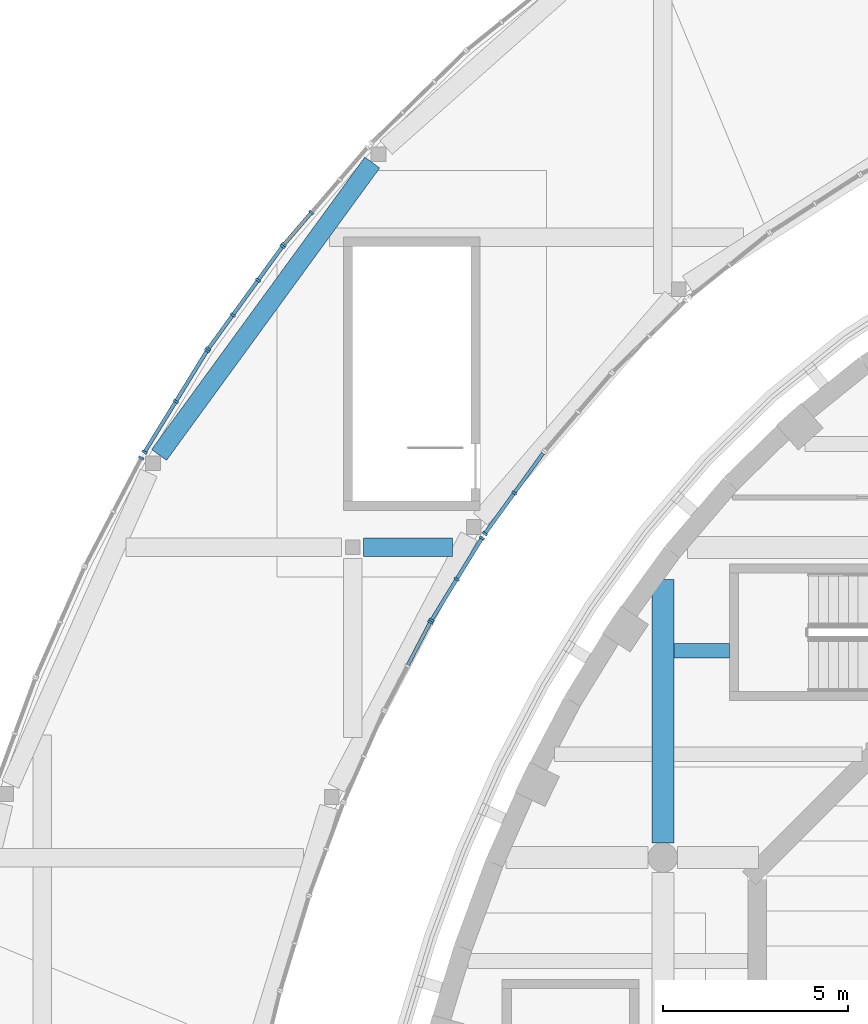
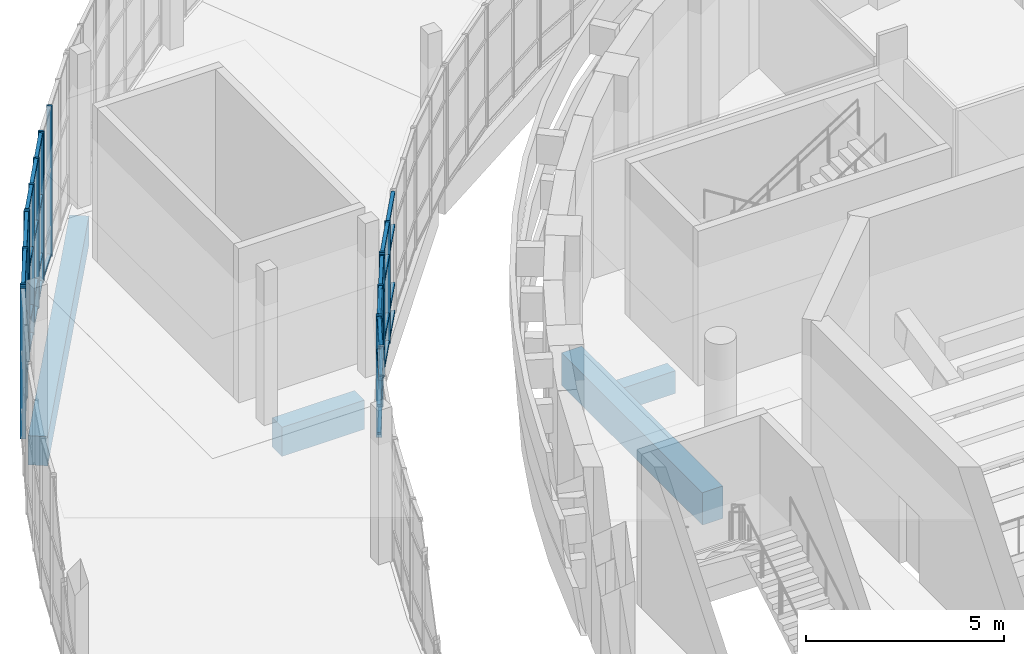
# One storey, part 18 of 103: 55 members, 4 beams, 7 elements without a shape of their own.
"""IFC4 building model written with IfcOpenShell, lengths in metres."""

from ifc_helpers import new_model, si_unit, direction, frame, origin, origin_2d, place, context, subcontext, project, spatial, rectangle, extrude, material, layer, layer_set, material_profile, profile_set, type_object, element, aggregate, save


model = new_model("IFC4")

# Units and contexts
model_context = context("Model", 3, precision=1e-05, world=origin(), true_north=direction((0.0, 1.0)))
body_context = subcontext(model_context, "Body", "Model", "MODEL_VIEW")
ifc_project = project(units=[si_unit("LENGTHUNIT", "METRE"), si_unit("AREAUNIT", "SQUARE_METRE"), si_unit("VOLUMEUNIT", "CUBIC_METRE"), si_unit("PLANEANGLEUNIT", "RADIAN"), si_unit("MASSUNIT", "GRAM", prefix="KILO")], contexts=[model_context])

# Site, building, storey
site_placement = place(None, origin())
site = spatial("IfcSite", under=ifc_project, at=site_placement, CompositionType="ELEMENT")
building_placement = place(site_placement, origin())
building = spatial("IfcBuilding", under=site, at=building_placement, Name="Larchfold Concert Hall", CompositionType="ELEMENT")
storey_placement = place(building_placement, frame((0.0, 0.0, 9.60009765625)))
storey = spatial("IfcBuildingStorey", under=building, at=storey_placement, Name="L02", CompositionType="ELEMENT", Elevation=9.60009765625)

# Curtain wall, member
ifc_material_1 = material(Name="Anodised graphite aluminium curtain wall", Category="aluminium")
ifc_layer = layer(ifc_material_1, 0.14990234375)
ifc_layer_set = layer_set([ifc_layer], Name="Anodised graphite aluminium curtain wall")
curtain_wall_type = type_object("IfcCurtainWallType", Name="Curtain wall WG", PredefinedType="NOTDEFINED", material=ifc_layer_set)
curtain_wall_1_placement = place(storey_placement, origin())
curtain_wall_1 = element("IfcCurtainWall", 1, at=curtain_wall_1_placement, inside=storey, type_object=curtain_wall_type, Name="Curtain wall CW0232", PredefinedType="NOTDEFINED")
ifc_material_2 = material(Name="Anodised graphite aluminium mullion", Category="aluminium")
ifc_material_profile_1 = material_profile(ifc_material_2, rectangle(XDim=0.14990234375, YDim=0.06005859375, at=origin_2d()))
ifc_profile_set_1 = profile_set([ifc_material_profile_1], Name="Anodised graphite aluminium mullion")
member_type_1 = type_object("IfcMemberType", Name="Aluminium mullion 60x150", PredefinedType="MULLION", material=ifc_profile_set_1)
member_1_placement = place(storey_placement, frame((19.504638671875, 107.774169921875, 0.0), z_axis=(0.0, 0.0, 1.0), x_axis=(-0.886259622766, 0.46318881793, 0.0)))
member_1 = element("IfcMember", 2, at=member_1_placement, type_object=member_type_1, Name="CW0232 mullion 3", PredefinedType="MULLION", context=body_context, shape_type="SweptSolid", body=[
    extrude(rectangle(XDim=0.14990234375, YDim=0.06005859375, at=origin_2d()), origin(), (0.0, 0.0, 1.0), 3.75),
])

# Curtain wall, members
curtain_wall_2_placement = place(storey_placement, origin())
curtain_wall_2 = element("IfcCurtainWall", 3, at=curtain_wall_2_placement, inside=storey, type_object=curtain_wall_type, Name="Curtain wall CW0233", PredefinedType="NOTDEFINED")
member_2_placement = place(storey_placement, frame((19.5341796875, 107.826416015625, 0.0), z_axis=(0.0, 0.0, 1.0), x_axis=(-0.851667726257, 0.524082134835, 0.0)))
member_2 = element("IfcMember", 4, at=member_2_placement, type_object=member_type_1, Name="CW0233 mullion 1", PredefinedType="MULLION", context=body_context, shape_type="SweptSolid", body=[
    extrude(rectangle(XDim=0.14990234375, YDim=0.06005859375, at=origin_2d()), origin(), (0.0, 0.0, 1.0), 3.75),
])
member_3_placement = place(storey_placement, frame((20.21875, 108.938720703125, 0.0), z_axis=(0.0, 0.0, 1.0), x_axis=(-0.851667726257, 0.524082134835, 0.0)))
member_3 = element("IfcMember", 5, at=member_3_placement, type_object=member_type_1, Name="CW0233 mullion 2", PredefinedType="MULLION", context=body_context, shape_type="SweptSolid", body=[
    extrude(rectangle(XDim=0.14990234375, YDim=0.06005859375, at=origin_2d()), origin(), (0.0, 0.0, 1.0), 3.75),
])
member_4_placement = place(storey_placement, frame((20.903564453125, 110.05126953125, 0.0), z_axis=(0.0, 0.0, 1.0), x_axis=(-0.851667726257, 0.524082134835, 0.0)))
member_4 = element("IfcMember", 6, at=member_4_placement, type_object=member_type_1, Name="CW0233 mullion 3", PredefinedType="MULLION", context=body_context, shape_type="SweptSolid", body=[
    extrude(rectangle(XDim=0.14990234375, YDim=0.06005859375, at=origin_2d()), origin(), (0.0, 0.0, 1.0), 3.75),
])

curtain_wall_3_placement = place(storey_placement, origin())
curtain_wall_3 = element("IfcCurtainWall", 7, at=curtain_wall_3_placement, inside=storey, type_object=curtain_wall_type, Name="Curtain wall CW0234", PredefinedType="NOTDEFINED")
member_5_placement = place(storey_placement, frame((20.98046875, 110.171630859375, 0.0), z_axis=(0.0, 0.0, 1.0), x_axis=(-0.809901790947, 0.586565502753, 0.0)))
member_5 = element("IfcMember", 8, at=member_5_placement, type_object=member_type_1, Name="CW0234 mullion 1", PredefinedType="MULLION", context=body_context, shape_type="SweptSolid", body=[
    extrude(rectangle(XDim=0.14990234375, YDim=0.06005859375, at=origin_2d()), origin(), (0.0, 0.0, 1.0), 3.75),
])
member_6_placement = place(storey_placement, frame((21.77734375, 111.271484375, 0.0), z_axis=(0.0, 0.0, 1.0), x_axis=(-0.809901790947, 0.586565502753, 0.0)))
member_6 = element("IfcMember", 9, at=member_6_placement, type_object=member_type_1, Name="CW0234 mullion 2", PredefinedType="MULLION", context=body_context, shape_type="SweptSolid", body=[
    extrude(rectangle(XDim=0.14990234375, YDim=0.06005859375, at=origin_2d()), origin(), (0.0, 0.0, 1.0), 3.75),
])

curtain_wall_4_placement = place(storey_placement, origin())
curtain_wall_4 = element("IfcCurtainWall", 10, at=curtain_wall_4_placement, inside=storey, type_object=curtain_wall_type, Name="Curtain wall CW0262", PredefinedType="NOTDEFINED")
member_7_placement = place(storey_placement, frame((16.28271484375, 118.865234375, 0.0), z_axis=(0.0, 0.0, 1.0), x_axis=(0.759452023093, -0.650563313306, 0.0)))
member_7 = element("IfcMember", 11, at=member_7_placement, type_object=member_type_1, Name="CW0262 mullion 3", PredefinedType="MULLION", context=body_context, shape_type="SweptSolid", body=[
    extrude(rectangle(XDim=0.14990234375, YDim=0.06005859375, at=origin_2d()), origin(), (0.0, 0.0, 1.0), 4.64990234375),
])
member_8_placement = place(storey_placement, frame((15.537353515625, 117.9951171875, 0.0), z_axis=(0.0, 0.0, 1.0), x_axis=(0.759452023093, -0.650563313306, 0.0)))
member_8 = element("IfcMember", 12, at=member_8_placement, type_object=member_type_1, Name="CW0262 mullion 4", PredefinedType="MULLION", context=body_context, shape_type="SweptSolid", body=[
    extrude(rectangle(XDim=0.14990234375, YDim=0.06005859375, at=origin_2d()), origin(), (0.0, 0.0, 1.0), 4.64990234375),
])

curtain_wall_5_placement = place(storey_placement, origin())
curtain_wall_5 = element("IfcCurtainWall", 13, at=curtain_wall_5_placement, inside=storey, type_object=curtain_wall_type, Name="Curtain wall CW0263", PredefinedType="NOTDEFINED")
member_9_placement = place(storey_placement, frame((15.500244140625, 117.947998046875, 0.0), z_axis=(0.0, 0.0, 1.0), x_axis=(0.809846830142, -0.586641382541, 0.0)))
member_9 = element("IfcMember", 14, at=member_9_placement, type_object=member_type_1, Name="CW0263 mullion 1", PredefinedType="MULLION", context=body_context, shape_type="SweptSolid", body=[
    extrude(rectangle(XDim=0.14990234375, YDim=0.06005859375, at=origin_2d()), origin(), (0.0, 0.0, 1.0), 4.64990234375),
])
member_10_placement = place(storey_placement, frame((14.836669921875, 117.031982421875, 0.0), z_axis=(0.0, 0.0, 1.0), x_axis=(0.809846830142, -0.586641382541, 0.0)))
member_10 = element("IfcMember", 15, at=member_10_placement, type_object=member_type_1, Name="CW0263 mullion 2", PredefinedType="MULLION", context=body_context, shape_type="SweptSolid", body=[
    extrude(rectangle(XDim=0.14990234375, YDim=0.06005859375, at=origin_2d()), origin(), (0.0, 0.0, 1.0), 4.64990234375),
])
member_11_placement = place(storey_placement, frame((14.1552734375, 116.091552734375, 0.0), z_axis=(0.0, 0.0, 1.0), x_axis=(0.809846830142, -0.586641382541, 0.0)))
member_11 = element("IfcMember", 16, at=member_11_placement, type_object=member_type_1, Name="CW0263 mullion 3", PredefinedType="MULLION", context=body_context, shape_type="SweptSolid", body=[
    extrude(rectangle(XDim=0.14990234375, YDim=0.06005859375, at=origin_2d()), origin(), (0.0, 0.0, 1.0), 4.64990234375),
])
member_12_placement = place(storey_placement, frame((13.49169921875, 115.175537109375, 0.0), z_axis=(0.0, 0.0, 1.0), x_axis=(0.809846830142, -0.586641382541, 0.0)))
member_12 = element("IfcMember", 17, at=member_12_placement, type_object=member_type_1, Name="CW0263 mullion 4", PredefinedType="MULLION", context=body_context, shape_type="SweptSolid", body=[
    extrude(rectangle(XDim=0.14990234375, YDim=0.06005859375, at=origin_2d()), origin(), (0.0, 0.0, 1.0), 4.64990234375),
])

curtain_wall_6_placement = place(storey_placement, origin())
curtain_wall_6 = element("IfcCurtainWall", 18, at=curtain_wall_6_placement, inside=storey, type_object=curtain_wall_type, Name="Curtain wall CW0264", PredefinedType="NOTDEFINED")
member_13_placement = place(storey_placement, frame((13.45849609375, 115.12548828125, 0.0), z_axis=(0.0, 0.0, 1.0), x_axis=(0.851650673085, -0.524109846344, 0.0)))
member_13 = element("IfcMember", 19, at=member_13_placement, type_object=member_type_1, Name="CW0264 mullion 1", PredefinedType="MULLION", context=body_context, shape_type="SweptSolid", body=[
    extrude(rectangle(XDim=0.14990234375, YDim=0.06005859375, at=origin_2d()), origin(), (0.0, 0.0, 1.0), 4.64990234375),
])
member_14_placement = place(storey_placement, frame((12.612060546875, 113.75, 0.0), z_axis=(0.0, 0.0, 1.0), x_axis=(0.851650673085, -0.524109846344, 0.0)))
member_14 = element("IfcMember", 20, at=member_14_placement, type_object=member_type_1, Name="CW0264 mullion 2", PredefinedType="MULLION", context=body_context, shape_type="SweptSolid", body=[
    extrude(rectangle(XDim=0.14990234375, YDim=0.06005859375, at=origin_2d()), origin(), (0.0, 0.0, 1.0), 4.64990234375),
])
member_15_placement = place(storey_placement, frame((11.765380859375, 112.374755859375, 0.0), z_axis=(0.0, 0.0, 1.0), x_axis=(0.851650673085, -0.524109846344, 0.0)))
member_15 = element("IfcMember", 21, at=member_15_placement, type_object=member_type_1, Name="CW0264 mullion 3", PredefinedType="MULLION", context=body_context, shape_type="SweptSolid", body=[
    extrude(rectangle(XDim=0.14990234375, YDim=0.06005859375, at=origin_2d()), origin(), (0.0, 0.0, 1.0), 4.64990234375),
])

# Curtain wall, member
curtain_wall_7_placement = place(storey_placement, origin())
curtain_wall_7 = element("IfcCurtainWall", 22, at=curtain_wall_7_placement, inside=storey, type_object=curtain_wall_type, Name="Curtain wall CW0265", PredefinedType="NOTDEFINED")
member_16_placement = place(storey_placement, frame((11.67431640625, 112.222412109375, 0.0), z_axis=(0.0, 0.0, 1.0), x_axis=(0.886295614113, -0.463119946023, 0.0)))
member_16 = element("IfcMember", 23, at=member_16_placement, type_object=member_type_1, Name="CW0265 mullion 1", PredefinedType="MULLION", context=body_context, shape_type="SweptSolid", body=[
    extrude(rectangle(XDim=0.14990234375, YDim=0.06005859375, at=origin_2d()), origin(), (0.0, 0.0, 1.0), 4.64990234375),
])
aggregate(curtain_wall_7, [member_16])

# Member
ifc_material_3 = material(Name="Anodised graphite aluminium transom", Category="aluminium")
ifc_material_profile_2 = material_profile(ifc_material_3, rectangle(XDim=0.10009765625, YDim=0.080078125, at=origin_2d()))
ifc_profile_set_2 = profile_set([ifc_material_profile_2], Name="Anodised graphite aluminium transom")
member_type_2 = type_object("IfcMemberType", Name="Aluminium transom 80x100", PredefinedType="USERDEFINED", material=ifc_profile_set_2)
member_17_placement = place(storey_placement, frame((18.899658203125, 106.616455078125, 2.699951171875), z_axis=(0.463134691808, 0.886287908777, 0.0), x_axis=(-0.886287908777, 0.463134691808, 0.0)))
member_17 = element("IfcMember", 24, at=member_17_placement, type_object=member_type_2, Name="CW0232 transom 2.3", ObjectType="TRANSOM", PredefinedType="USERDEFINED", context=body_context, shape_type="SweptSolid", body=[
    extrude(rectangle(XDim=0.10009765625, YDim=0.080078125, at=origin_2d()), origin(), (0.0, 0.0, 1.0), 1.276123046875),
])

member_18_placement = place(storey_placement, frame((18.899658203125, 106.616455078125, 3.7099609375), z_axis=(0.463134691808, 0.886287908777, 0.0), x_axis=(-0.886287908777, 0.463134691808, 0.0)))
member_18 = element("IfcMember", 25, at=member_18_placement, type_object=member_type_2, Name="CW0232 transom 2.4", ObjectType="TRANSOM", PredefinedType="USERDEFINED", context=body_context, shape_type="SweptSolid", body=[
    extrude(rectangle(XDim=0.10009765625, YDim=0.080078125, at=origin_2d()), origin(), (0.0, 0.0, 1.0), 1.276123046875),
])

aggregate(curtain_wall_1, [member_1, member_17, member_18])

member_19_placement = place(storey_placement, frame((19.550048828125, 107.851806640625, 0.0400390625), z_axis=(0.52399905806, 0.851718842783, 0.0), x_axis=(-0.851718842783, 0.52399905806, 0.0)))
member_19 = element("IfcMember", 26, at=member_19_placement, type_object=member_type_2, Name="CW0233 transom 1.1", ObjectType="TRANSOM", PredefinedType="USERDEFINED", context=body_context, shape_type="SweptSolid", body=[
    extrude(rectangle(XDim=0.10009765625, YDim=0.080078125, at=origin_2d()), origin(), (0.0, 0.0, 1.0), 1.246337890625),
])

member_20_placement = place(storey_placement, frame((19.550048828125, 107.851806640625, 0.89990234375), z_axis=(0.52399905806, 0.851718842783, 0.0), x_axis=(-0.851718842783, 0.52399905806, 0.0)))
member_20 = element("IfcMember", 27, at=member_20_placement, type_object=member_type_2, Name="CW0233 transom 1.2", ObjectType="TRANSOM", PredefinedType="USERDEFINED", context=body_context, shape_type="SweptSolid", body=[
    extrude(rectangle(XDim=0.10009765625, YDim=0.080078125, at=origin_2d()), origin(), (0.0, 0.0, 1.0), 1.246337890625),
])

member_21_placement = place(storey_placement, frame((19.550048828125, 107.851806640625, 2.699951171875), z_axis=(0.52399905806, 0.851718842783, 0.0), x_axis=(-0.851718842783, 0.52399905806, 0.0)))
member_21 = element("IfcMember", 28, at=member_21_placement, type_object=member_type_2, Name="CW0233 transom 1.3", ObjectType="TRANSOM", PredefinedType="USERDEFINED", context=body_context, shape_type="SweptSolid", body=[
    extrude(rectangle(XDim=0.10009765625, YDim=0.080078125, at=origin_2d()), origin(), (0.0, 0.0, 1.0), 1.246337890625),
])

member_22_placement = place(storey_placement, frame((19.550048828125, 107.851806640625, 3.7099609375), z_axis=(0.52399905806, 0.851718842783, 0.0), x_axis=(-0.851718842783, 0.52399905806, 0.0)))
member_22 = element("IfcMember", 29, at=member_22_placement, type_object=member_type_2, Name="CW0233 transom 1.4", ObjectType="TRANSOM", PredefinedType="USERDEFINED", context=body_context, shape_type="SweptSolid", body=[
    extrude(rectangle(XDim=0.10009765625, YDim=0.080078125, at=origin_2d()), origin(), (0.0, 0.0, 1.0), 1.246337890625),
])

member_23_placement = place(storey_placement, frame((20.234619140625, 108.96435546875, 0.0400390625), z_axis=(0.52399905806, 0.851718842783, 0.0), x_axis=(-0.851718842783, 0.52399905806, 0.0)))
member_23 = element("IfcMember", 30, at=member_23_placement, type_object=member_type_2, Name="CW0233 transom 2.1", ObjectType="TRANSOM", PredefinedType="USERDEFINED", context=body_context, shape_type="SweptSolid", body=[
    extrude(rectangle(XDim=0.10009765625, YDim=0.080078125, at=origin_2d()), origin(), (0.0, 0.0, 1.0), 1.246337890625),
])

member_24_placement = place(storey_placement, frame((20.234619140625, 108.96435546875, 0.89990234375), z_axis=(0.52399905806, 0.851718842783, 0.0), x_axis=(-0.851718842783, 0.52399905806, 0.0)))
member_24 = element("IfcMember", 31, at=member_24_placement, type_object=member_type_2, Name="CW0233 transom 2.2", ObjectType="TRANSOM", PredefinedType="USERDEFINED", context=body_context, shape_type="SweptSolid", body=[
    extrude(rectangle(XDim=0.10009765625, YDim=0.080078125, at=origin_2d()), origin(), (0.0, 0.0, 1.0), 1.246337890625),
])

member_25_placement = place(storey_placement, frame((20.234619140625, 108.96435546875, 2.699951171875), z_axis=(0.52399905806, 0.851718842783, 0.0), x_axis=(-0.851718842783, 0.52399905806, 0.0)))
member_25 = element("IfcMember", 32, at=member_25_placement, type_object=member_type_2, Name="CW0233 transom 2.3", ObjectType="TRANSOM", PredefinedType="USERDEFINED", context=body_context, shape_type="SweptSolid", body=[
    extrude(rectangle(XDim=0.10009765625, YDim=0.080078125, at=origin_2d()), origin(), (0.0, 0.0, 1.0), 1.246337890625),
])

member_26_placement = place(storey_placement, frame((20.234619140625, 108.96435546875, 3.7099609375), z_axis=(0.52399905806, 0.851718842783, 0.0), x_axis=(-0.851718842783, 0.52399905806, 0.0)))
member_26 = element("IfcMember", 33, at=member_26_placement, type_object=member_type_2, Name="CW0233 transom 2.4", ObjectType="TRANSOM", PredefinedType="USERDEFINED", context=body_context, shape_type="SweptSolid", body=[
    extrude(rectangle(XDim=0.10009765625, YDim=0.080078125, at=origin_2d()), origin(), (0.0, 0.0, 1.0), 1.246337890625),
])

aggregate(curtain_wall_2, [member_2, member_3, member_4, member_19, member_20, member_21, member_22, member_23, member_24, member_25, member_26])

member_27_placement = place(storey_placement, frame((20.998046875, 110.19580078125, 0.0400390625), z_axis=(0.586526827434, 0.809929799859, 0.0), x_axis=(-0.809929799859, 0.586526827434, 0.0)))
member_27 = element("IfcMember", 34, at=member_27_placement, type_object=member_type_2, Name="CW0234 transom 1.1", ObjectType="TRANSOM", PredefinedType="USERDEFINED", context=body_context, shape_type="SweptSolid", body=[
    extrude(rectangle(XDim=0.10009765625, YDim=0.080078125, at=origin_2d()), origin(), (0.0, 0.0, 1.0), 1.29833984375),
])

member_28_placement = place(storey_placement, frame((20.998046875, 110.19580078125, 0.89990234375), z_axis=(0.586526827434, 0.809929799859, 0.0), x_axis=(-0.809929799859, 0.586526827434, 0.0)))
member_28 = element("IfcMember", 35, at=member_28_placement, type_object=member_type_2, Name="CW0234 transom 1.2", ObjectType="TRANSOM", PredefinedType="USERDEFINED", context=body_context, shape_type="SweptSolid", body=[
    extrude(rectangle(XDim=0.10009765625, YDim=0.080078125, at=origin_2d()), origin(), (0.0, 0.0, 1.0), 1.29833984375),
])

member_29_placement = place(storey_placement, frame((20.998046875, 110.19580078125, 2.699951171875), z_axis=(0.586526827434, 0.809929799859, 0.0), x_axis=(-0.809929799859, 0.586526827434, 0.0)))
member_29 = element("IfcMember", 36, at=member_29_placement, type_object=member_type_2, Name="CW0234 transom 1.3", ObjectType="TRANSOM", PredefinedType="USERDEFINED", context=body_context, shape_type="SweptSolid", body=[
    extrude(rectangle(XDim=0.10009765625, YDim=0.080078125, at=origin_2d()), origin(), (0.0, 0.0, 1.0), 1.29833984375),
])

member_30_placement = place(storey_placement, frame((20.998046875, 110.19580078125, 3.7099609375), z_axis=(0.586526827434, 0.809929799859, 0.0), x_axis=(-0.809929799859, 0.586526827434, 0.0)))
member_30 = element("IfcMember", 37, at=member_30_placement, type_object=member_type_2, Name="CW0234 transom 1.4", ObjectType="TRANSOM", PredefinedType="USERDEFINED", context=body_context, shape_type="SweptSolid", body=[
    extrude(rectangle(XDim=0.10009765625, YDim=0.080078125, at=origin_2d()), origin(), (0.0, 0.0, 1.0), 1.29833984375),
])

member_31_placement = place(storey_placement, frame((21.794921875, 111.2958984375, 0.0400390625), z_axis=(0.586526827434, 0.809929799859, 0.0), x_axis=(-0.809929799859, 0.586526827434, 0.0)))
member_31 = element("IfcMember", 38, at=member_31_placement, type_object=member_type_2, Name="CW0234 transom 2.1", ObjectType="TRANSOM", PredefinedType="USERDEFINED", context=body_context, shape_type="SweptSolid", body=[
    extrude(rectangle(XDim=0.10009765625, YDim=0.080078125, at=origin_2d()), origin(), (0.0, 0.0, 1.0), 1.29833984375),
])

member_32_placement = place(storey_placement, frame((21.794921875, 111.2958984375, 0.89990234375), z_axis=(0.586526827434, 0.809929799859, 0.0), x_axis=(-0.809929799859, 0.586526827434, 0.0)))
member_32 = element("IfcMember", 39, at=member_32_placement, type_object=member_type_2, Name="CW0234 transom 2.2", ObjectType="TRANSOM", PredefinedType="USERDEFINED", context=body_context, shape_type="SweptSolid", body=[
    extrude(rectangle(XDim=0.10009765625, YDim=0.080078125, at=origin_2d()), origin(), (0.0, 0.0, 1.0), 1.29833984375),
])

member_33_placement = place(storey_placement, frame((21.794921875, 111.2958984375, 2.699951171875), z_axis=(0.586526827434, 0.809929799859, 0.0), x_axis=(-0.809929799859, 0.586526827434, 0.0)))
member_33 = element("IfcMember", 40, at=member_33_placement, type_object=member_type_2, Name="CW0234 transom 2.3", ObjectType="TRANSOM", PredefinedType="USERDEFINED", context=body_context, shape_type="SweptSolid", body=[
    extrude(rectangle(XDim=0.10009765625, YDim=0.080078125, at=origin_2d()), origin(), (0.0, 0.0, 1.0), 1.29833984375),
])

member_34_placement = place(storey_placement, frame((21.794921875, 111.2958984375, 3.7099609375), z_axis=(0.586526827434, 0.809929799859, 0.0), x_axis=(-0.809929799859, 0.586526827434, 0.0)))
member_34 = element("IfcMember", 41, at=member_34_placement, type_object=member_type_2, Name="CW0234 transom 2.4", ObjectType="TRANSOM", PredefinedType="USERDEFINED", context=body_context, shape_type="SweptSolid", body=[
    extrude(rectangle(XDim=0.10009765625, YDim=0.080078125, at=origin_2d()), origin(), (0.0, 0.0, 1.0), 1.29833984375),
])

aggregate(curtain_wall_3, [member_5, member_6, member_27, member_28, member_29, member_30, member_31, member_32, member_33, member_34])

member_35_placement = place(storey_placement, frame((16.26318359375, 118.842529296875, 0.0400390625), z_axis=(-0.650587632141, -0.759431190369, 0.0), x_axis=(0.759431190369, -0.650587632141, 0.0)))
member_35 = element("IfcMember", 42, at=member_35_placement, type_object=member_type_2, Name="CW0262 transom 3.1", ObjectType="TRANSOM", PredefinedType="USERDEFINED", context=body_context, shape_type="SweptSolid", body=[
    extrude(rectangle(XDim=0.10009765625, YDim=0.080078125, at=origin_2d()), origin(), (0.0, 0.0, 1.0), 1.085693359375),
])

aggregate(curtain_wall_4, [member_7, member_8, member_35])

member_36_placement = place(storey_placement, frame((15.482666015625, 117.923828125, 0.0400390625), z_axis=(-0.5866799432, -0.809818895956, 0.0), x_axis=(0.809818895956, -0.5866799432, 0.0)))
member_36 = element("IfcMember", 43, at=member_36_placement, type_object=member_type_2, Name="CW0263 transom 1.1", ObjectType="TRANSOM", PredefinedType="USERDEFINED", context=body_context, shape_type="SweptSolid", body=[
    extrude(rectangle(XDim=0.10009765625, YDim=0.080078125, at=origin_2d()), origin(), (0.0, 0.0, 1.0), 1.071044921875),
])

member_37_placement = place(storey_placement, frame((15.482666015625, 117.923828125, 0.89990234375), z_axis=(-0.5866799432, -0.809818895956, 0.0), x_axis=(0.809818895956, -0.5866799432, 0.0)))
member_37 = element("IfcMember", 44, at=member_37_placement, type_object=member_type_2, Name="CW0263 transom 1.2", ObjectType="TRANSOM", PredefinedType="USERDEFINED", context=body_context, shape_type="SweptSolid", body=[
    extrude(rectangle(XDim=0.10009765625, YDim=0.080078125, at=origin_2d()), origin(), (0.0, 0.0, 1.0), 1.071044921875),
])

member_38_placement = place(storey_placement, frame((15.482666015625, 117.923828125, 2.699951171875), z_axis=(-0.5866799432, -0.809818895956, 0.0), x_axis=(0.809818895956, -0.5866799432, 0.0)))
member_38 = element("IfcMember", 45, at=member_38_placement, type_object=member_type_2, Name="CW0263 transom 1.3", ObjectType="TRANSOM", PredefinedType="USERDEFINED", context=body_context, shape_type="SweptSolid", body=[
    extrude(rectangle(XDim=0.10009765625, YDim=0.080078125, at=origin_2d()), origin(), (0.0, 0.0, 1.0), 1.071044921875),
])

member_39_placement = place(storey_placement, frame((15.482666015625, 117.923828125, 4.60986328125), z_axis=(-0.5866799432, -0.809818895956, 0.0), x_axis=(0.809818895956, -0.5866799432, 0.0)))
member_39 = element("IfcMember", 46, at=member_39_placement, type_object=member_type_2, Name="CW0263 transom 1.4", ObjectType="TRANSOM", PredefinedType="USERDEFINED", context=body_context, shape_type="SweptSolid", body=[
    extrude(rectangle(XDim=0.10009765625, YDim=0.080078125, at=origin_2d()), origin(), (0.0, 0.0, 1.0), 1.071044921875),
])

member_40_placement = place(storey_placement, frame((14.819091796875, 117.007568359375, 0.0400390625), z_axis=(-0.586865840086, -0.809684188891, 0.0), x_axis=(0.809684188891, -0.586865840086, 0.0)))
member_40 = element("IfcMember", 47, at=member_40_placement, type_object=member_type_2, Name="CW0263 transom 2.1", ObjectType="TRANSOM", PredefinedType="USERDEFINED", context=body_context, shape_type="SweptSolid", body=[
    extrude(rectangle(XDim=0.10009765625, YDim=0.080078125, at=origin_2d()), origin(), (0.0, 0.0, 1.0), 1.10107421875),
])

member_41_placement = place(storey_placement, frame((14.819091796875, 117.007568359375, 0.89990234375), z_axis=(-0.586865840086, -0.809684188891, 0.0), x_axis=(0.809684188891, -0.586865840086, 0.0)))
member_41 = element("IfcMember", 48, at=member_41_placement, type_object=member_type_2, Name="CW0263 transom 2.2", ObjectType="TRANSOM", PredefinedType="USERDEFINED", context=body_context, shape_type="SweptSolid", body=[
    extrude(rectangle(XDim=0.10009765625, YDim=0.080078125, at=origin_2d()), origin(), (0.0, 0.0, 1.0), 1.10107421875),
])

member_42_placement = place(storey_placement, frame((14.819091796875, 117.007568359375, 2.699951171875), z_axis=(-0.586865840086, -0.809684188891, 0.0), x_axis=(0.809684188891, -0.586865840086, 0.0)))
member_42 = element("IfcMember", 49, at=member_42_placement, type_object=member_type_2, Name="CW0263 transom 2.3", ObjectType="TRANSOM", PredefinedType="USERDEFINED", context=body_context, shape_type="SweptSolid", body=[
    extrude(rectangle(XDim=0.10009765625, YDim=0.080078125, at=origin_2d()), origin(), (0.0, 0.0, 1.0), 1.10107421875),
])

member_43_placement = place(storey_placement, frame((14.819091796875, 117.007568359375, 4.60986328125), z_axis=(-0.586865840086, -0.809684188891, 0.0), x_axis=(0.809684188891, -0.586865840086, 0.0)))
member_43 = element("IfcMember", 50, at=member_43_placement, type_object=member_type_2, Name="CW0263 transom 2.4", ObjectType="TRANSOM", PredefinedType="USERDEFINED", context=body_context, shape_type="SweptSolid", body=[
    extrude(rectangle(XDim=0.10009765625, YDim=0.080078125, at=origin_2d()), origin(), (0.0, 0.0, 1.0), 1.10107421875),
])

member_44_placement = place(storey_placement, frame((14.1376953125, 116.067138671875, 0.0400390625), z_axis=(-0.5866799432, -0.809818895956, 0.0), x_axis=(0.809818895956, -0.5866799432, 0.0)))
member_44 = element("IfcMember", 51, at=member_44_placement, type_object=member_type_2, Name="CW0263 transom 3.1", ObjectType="TRANSOM", PredefinedType="USERDEFINED", context=body_context, shape_type="SweptSolid", body=[
    extrude(rectangle(XDim=0.10009765625, YDim=0.080078125, at=origin_2d()), origin(), (0.0, 0.0, 1.0), 1.071044921875),
])

member_45_placement = place(storey_placement, frame((14.1376953125, 116.067138671875, 0.89990234375), z_axis=(-0.5866799432, -0.809818895956, 0.0), x_axis=(0.809818895956, -0.5866799432, 0.0)))
member_45 = element("IfcMember", 52, at=member_45_placement, type_object=member_type_2, Name="CW0263 transom 3.2", ObjectType="TRANSOM", PredefinedType="USERDEFINED", context=body_context, shape_type="SweptSolid", body=[
    extrude(rectangle(XDim=0.10009765625, YDim=0.080078125, at=origin_2d()), origin(), (0.0, 0.0, 1.0), 1.071044921875),
])

member_46_placement = place(storey_placement, frame((14.1376953125, 116.067138671875, 2.699951171875), z_axis=(-0.5866799432, -0.809818895956, 0.0), x_axis=(0.809818895956, -0.5866799432, 0.0)))
member_46 = element("IfcMember", 53, at=member_46_placement, type_object=member_type_2, Name="CW0263 transom 3.3", ObjectType="TRANSOM", PredefinedType="USERDEFINED", context=body_context, shape_type="SweptSolid", body=[
    extrude(rectangle(XDim=0.10009765625, YDim=0.080078125, at=origin_2d()), origin(), (0.0, 0.0, 1.0), 1.071044921875),
])

member_47_placement = place(storey_placement, frame((14.1376953125, 116.067138671875, 4.60986328125), z_axis=(-0.5866799432, -0.809818895956, 0.0), x_axis=(0.809818895956, -0.5866799432, 0.0)))
member_47 = element("IfcMember", 54, at=member_47_placement, type_object=member_type_2, Name="CW0263 transom 3.4", ObjectType="TRANSOM", PredefinedType="USERDEFINED", context=body_context, shape_type="SweptSolid", body=[
    extrude(rectangle(XDim=0.10009765625, YDim=0.080078125, at=origin_2d()), origin(), (0.0, 0.0, 1.0), 1.071044921875),
])

aggregate(curtain_wall_5, [member_9, member_10, member_11, member_12, member_36, member_37, member_38, member_39, member_40, member_41, member_42, member_43, member_44, member_45, member_46, member_47])

member_48_placement = place(storey_placement, frame((13.442626953125, 115.10009765625, 0.0400390625), z_axis=(-0.524044868846, -0.851690657126, 0.0), x_axis=(0.851690657126, -0.524044868846, 0.0)))
member_48 = element("IfcMember", 55, at=member_48_placement, type_object=member_type_2, Name="CW0264 transom 1.1", ObjectType="TRANSOM", PredefinedType="USERDEFINED", context=body_context, shape_type="SweptSolid", body=[
    extrude(rectangle(XDim=0.10009765625, YDim=0.080078125, at=origin_2d()), origin(), (0.0, 0.0, 1.0), 1.55517578125),
])

member_49_placement = place(storey_placement, frame((13.442626953125, 115.10009765625, 0.89990234375), z_axis=(-0.524044868846, -0.851690657126, 0.0), x_axis=(0.851690657126, -0.524044868846, 0.0)))
member_49 = element("IfcMember", 56, at=member_49_placement, type_object=member_type_2, Name="CW0264 transom 1.2", ObjectType="TRANSOM", PredefinedType="USERDEFINED", context=body_context, shape_type="SweptSolid", body=[
    extrude(rectangle(XDim=0.10009765625, YDim=0.080078125, at=origin_2d()), origin(), (0.0, 0.0, 1.0), 1.55517578125),
])

member_50_placement = place(storey_placement, frame((13.442626953125, 115.10009765625, 2.699951171875), z_axis=(-0.524044868846, -0.851690657126, 0.0), x_axis=(0.851690657126, -0.524044868846, 0.0)))
member_50 = element("IfcMember", 57, at=member_50_placement, type_object=member_type_2, Name="CW0264 transom 1.3", ObjectType="TRANSOM", PredefinedType="USERDEFINED", context=body_context, shape_type="SweptSolid", body=[
    extrude(rectangle(XDim=0.10009765625, YDim=0.080078125, at=origin_2d()), origin(), (0.0, 0.0, 1.0), 1.55517578125),
])

member_51_placement = place(storey_placement, frame((13.442626953125, 115.10009765625, 4.60986328125), z_axis=(-0.524044868846, -0.851690657126, 0.0), x_axis=(0.851690657126, -0.524044868846, 0.0)))
member_51 = element("IfcMember", 58, at=member_51_placement, type_object=member_type_2, Name="CW0264 transom 1.4", ObjectType="TRANSOM", PredefinedType="USERDEFINED", context=body_context, shape_type="SweptSolid", body=[
    extrude(rectangle(XDim=0.10009765625, YDim=0.080078125, at=origin_2d()), origin(), (0.0, 0.0, 1.0), 1.55517578125),
])

member_52_placement = place(storey_placement, frame((12.59619140625, 113.724609375, 0.0400390625), z_axis=(-0.524044868846, -0.851690657126, 0.0), x_axis=(0.851690657126, -0.524044868846, 0.0)))
member_52 = element("IfcMember", 59, at=member_52_placement, type_object=member_type_2, Name="CW0264 transom 2.1", ObjectType="TRANSOM", PredefinedType="USERDEFINED", context=body_context, shape_type="SweptSolid", body=[
    extrude(rectangle(XDim=0.10009765625, YDim=0.080078125, at=origin_2d()), origin(), (0.0, 0.0, 1.0), 1.55517578125),
])

member_53_placement = place(storey_placement, frame((12.59619140625, 113.724609375, 0.89990234375), z_axis=(-0.524044868846, -0.851690657126, 0.0), x_axis=(0.851690657126, -0.524044868846, 0.0)))
member_53 = element("IfcMember", 60, at=member_53_placement, type_object=member_type_2, Name="CW0264 transom 2.2", ObjectType="TRANSOM", PredefinedType="USERDEFINED", context=body_context, shape_type="SweptSolid", body=[
    extrude(rectangle(XDim=0.10009765625, YDim=0.080078125, at=origin_2d()), origin(), (0.0, 0.0, 1.0), 1.55517578125),
])

member_54_placement = place(storey_placement, frame((12.59619140625, 113.724609375, 2.699951171875), z_axis=(-0.524044868846, -0.851690657126, 0.0), x_axis=(0.851690657126, -0.524044868846, 0.0)))
member_54 = element("IfcMember", 61, at=member_54_placement, type_object=member_type_2, Name="CW0264 transom 2.3", ObjectType="TRANSOM", PredefinedType="USERDEFINED", context=body_context, shape_type="SweptSolid", body=[
    extrude(rectangle(XDim=0.10009765625, YDim=0.080078125, at=origin_2d()), origin(), (0.0, 0.0, 1.0), 1.55517578125),
])

member_55_placement = place(storey_placement, frame((12.59619140625, 113.724609375, 4.60986328125), z_axis=(-0.524044868846, -0.851690657126, 0.0), x_axis=(0.851690657126, -0.524044868846, 0.0)))
member_55 = element("IfcMember", 62, at=member_55_placement, type_object=member_type_2, Name="CW0264 transom 2.4", ObjectType="TRANSOM", PredefinedType="USERDEFINED", context=body_context, shape_type="SweptSolid", body=[
    extrude(rectangle(XDim=0.10009765625, YDim=0.080078125, at=origin_2d()), origin(), (0.0, 0.0, 1.0), 1.55517578125),
])

aggregate(curtain_wall_6, [member_13, member_14, member_15, member_48, member_49, member_50, member_51, member_52, member_53, member_54, member_55])

# Beams
ifc_material_4 = material(Name="Concrete C35/45", Category="concrete")
ifc_material_profile_3 = material_profile(ifc_material_4, rectangle(XDim=0.39990234375, YDim=0.699951171875, at=origin_2d()))
ifc_profile_set_3 = profile_set([ifc_material_profile_3], Name="Concrete C35/45")
beam_type_1 = type_object("IfcBeamType", Name="Beam RC 400x700", PredefinedType="BEAM", material=ifc_profile_set_3)
beam_1_placement = place(storey_placement, frame((26.10009765625, 107.0, -0.550048828125), z_axis=(1.0, 0.0, 0.0), x_axis=(0.0, 1.0, 0.0)))
element("IfcBeam", 63, at=beam_1_placement, inside=storey, type_object=beam_type_1, Name="Beam B1341", PredefinedType="BEAM", context=body_context, shape_type="SweptSolid", body=[
    extrude(rectangle(XDim=0.39990234375, YDim=0.699951171875, at=origin_2d()), origin(), (0.0, 0.0, 1.0), 1.5),
])
ifc_material_5 = material(Name="Concrete C35/45", Category="concrete")
ifc_material_profile_4 = material_profile(ifc_material_5, rectangle(XDim=0.5, YDim=0.89990234375, at=origin_2d()))
ifc_profile_set_4 = profile_set([ifc_material_profile_4], Name="Concrete C35/45")
beam_type_2 = type_object("IfcBeamType", Name="Beam RC 500x900", PredefinedType="BEAM", material=ifc_profile_set_4)
beam_2_placement = place(storey_placement, frame((12.157958984375, 112.30224609375, -0.60009765625), z_axis=(0.589270434434, 0.80793586076, 0.0), x_axis=(-0.80793586076, 0.589270434434, 0.0)))
element("IfcBeam", 64, at=beam_2_placement, inside=storey, type_object=beam_type_2, Name="Beam B1945", PredefinedType="BEAM", context=body_context, shape_type="SweptSolid", body=[
    extrude(rectangle(XDim=0.5, YDim=0.89990234375, at=origin_2d()), origin(), (0.0, 0.0, 1.0), 9.79833984375),
])
beam_3_placement = place(storey_placement, frame((17.69873046875, 109.800048828125, -0.60009765625), z_axis=(1.0, 0.0, 0.0), x_axis=(0.0, 1.0, 0.0)))
element("IfcBeam", 65, at=beam_3_placement, inside=storey, type_object=beam_type_2, Name="Beam B1997", PredefinedType="BEAM", context=body_context, shape_type="SweptSolid", body=[
    extrude(rectangle(XDim=0.5, YDim=0.89990234375, at=origin_2d()), origin(), (0.0, 0.0, 1.0), 2.407470703125),
])
ifc_material_6 = material(Name="Concrete C35/45", Category="concrete")
ifc_material_profile_5 = material_profile(ifc_material_6, rectangle(XDim=0.60009765625, YDim=1.0, at=origin_2d()))
ifc_profile_set_5 = profile_set([ifc_material_profile_5], Name="Concrete C35/45")
beam_type_3 = type_object("IfcBeamType", Name="Beam RC 600x1000", PredefinedType="BEAM", material=ifc_profile_set_5)
beam_4_placement = place(storey_placement, frame((25.800048828125, 101.79833984375, -0.7001953125), z_axis=(0.0, 1.0, 0.0), x_axis=(-1.0, 0.0, 0.0)))
element("IfcBeam", 66, at=beam_4_placement, inside=storey, type_object=beam_type_3, Name="Beam B1270", PredefinedType="BEAM", context=body_context, shape_type="SweptSolid", body=[
    extrude(rectangle(XDim=0.60009765625, YDim=1.0, at=origin_2d()), origin(), (0.0, 0.0, 1.0), 7.134521484375),
])

save(model, "model.ifc")
